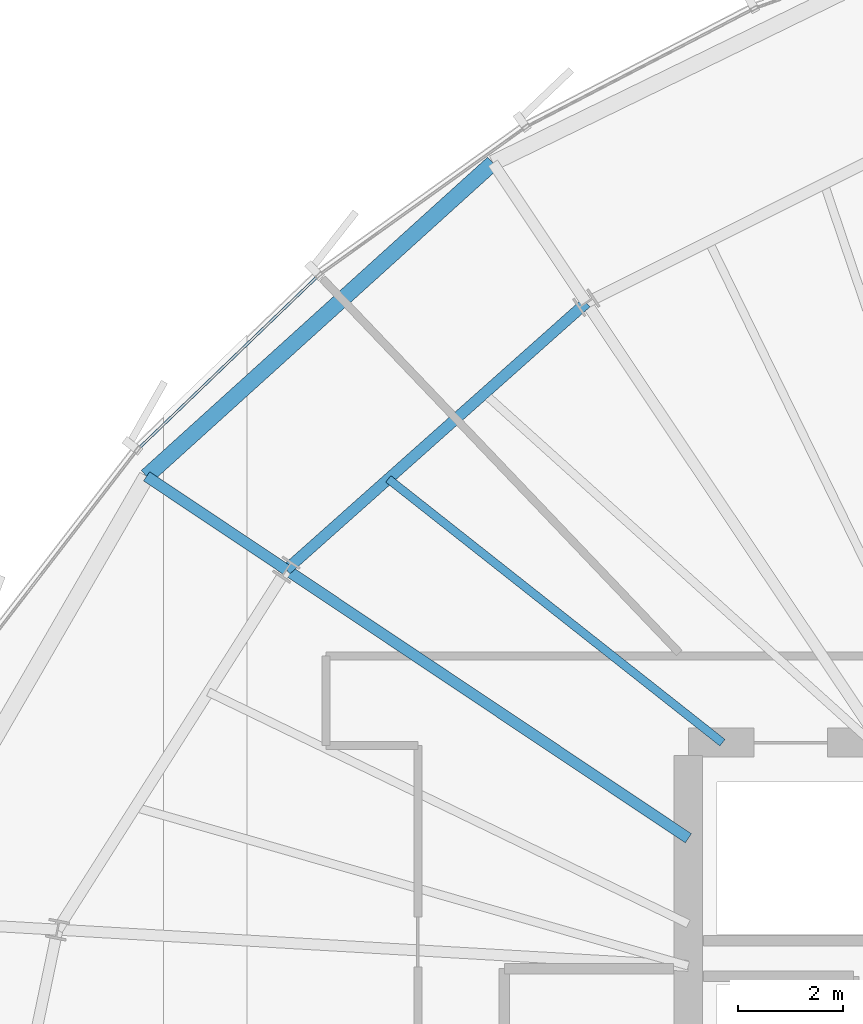
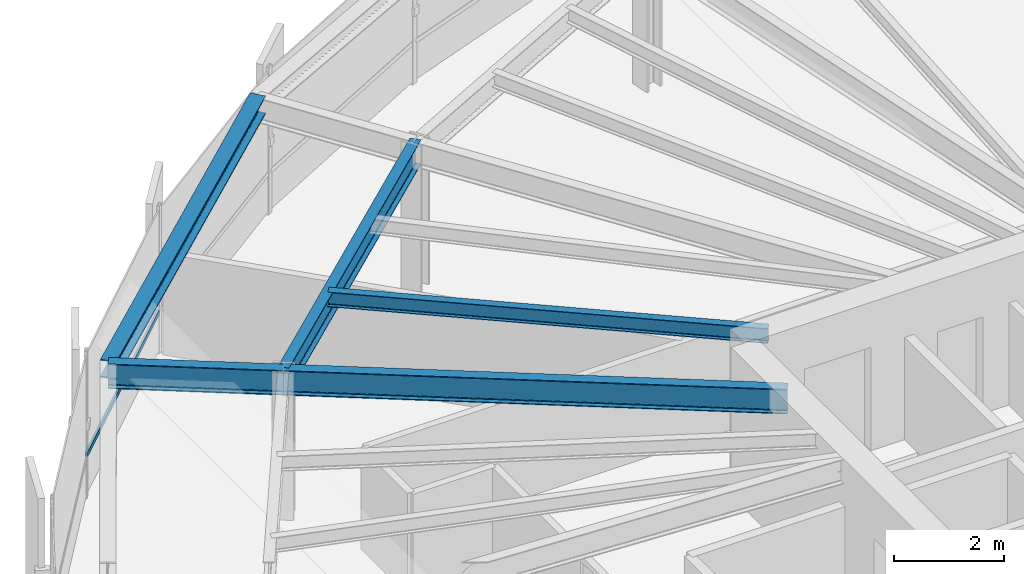
# One storey, part 18 of 32: 5 beams, 1 member, 1 element without a shape of its own.
"""IFC4 building model written with IfcOpenShell, lengths in metres."""

from ifc_helpers import new_model, si_unit, direction, frame, origin, origin_2d, place, context, subcontext, project, spatial, hollow_rectangle, i_section, extrude, source, transform, mapped, material, layer, layer_set, material_profile, profile_set, type_object, element, aggregate, save


model = new_model("IFC4")

# Units and contexts
model_context = context("Model", 3, precision=1e-05, world=origin(), true_north=direction((0.0, 1.0)))
body_context = subcontext(model_context, "Body", "Model", "MODEL_VIEW")
ifc_project = project(units=[si_unit("LENGTHUNIT", "METRE"), si_unit("AREAUNIT", "SQUARE_METRE"), si_unit("VOLUMEUNIT", "CUBIC_METRE"), si_unit("PLANEANGLEUNIT", "RADIAN"), si_unit("MASSUNIT", "GRAM", prefix="KILO"), si_unit("THERMODYNAMICTEMPERATUREUNIT", "KELVIN")], contexts=[model_context])

# Site, building, storey
site_placement = place(None, origin())
site = spatial("IfcSite", under=ifc_project, at=site_placement, CompositionType="ELEMENT")
building_placement = place(site_placement, origin())
building = spatial("IfcBuilding", under=site, at=building_placement, Name="Kethvar Cultural Tower", CompositionType="ELEMENT")
storey_placement = place(building_placement, frame((0.0, 0.0, 160.75)))
storey = spatial("IfcBuildingStorey", under=building, at=storey_placement, Name="L41", CompositionType="ELEMENT", Elevation=160.75)

# Beams
ifc_material_1 = material(Name="Steel S355J2", Category="steel")
ifc_material_profile_1 = material_profile(ifc_material_1, i_section(OverallWidth=0.2099609375, OverallDepth=0.550048828125, WebThickness=0.010986328125, FlangeThickness=0.01708984375, FilletRadius=0.02392578125, at=origin_2d()), Name="Steel S355J2 — IPE550")
ifc_profile_set_1 = profile_set([ifc_material_profile_1], Name="Steel S355J2 — IPE550")
beam_type_1 = type_object("IfcBeamType", Name="BM-IPE550", PredefinedType="BEAM", material=ifc_profile_set_1)
shared_shape_1 = source(origin(), body_context, "Body", "SweptSolid", [
    extrude(i_section(OverallWidth=0.2099609375, OverallDepth=0.550048828125, WebThickness=0.010986328125, FlangeThickness=0.01708984375, FilletRadius=0.02392578125, at=origin_2d()), origin(), (0.0, 0.0, 1.0), 3.199951171875),
])
beam_1_placement = place(storey_placement, frame((30.345947265625, 38.794189453125, 3.02294921875), z_axis=(-0.831462943996, 0.555580212716, 0.0), x_axis=(-0.555580212716, -0.831462943996, 0.0)))
element("IfcBeam", 1, at=beam_1_placement, inside=storey, type_object=beam_type_1, Name="L41 Perimeter Cantilever Beam RC-07", PredefinedType="BEAM", context=body_context, shape_type="MappedRepresentation", body=[
    mapped(shared_shape_1, transform((0.0, 0.0, 0.0), scale=1.0)),
])
shared_shape_2 = source(origin(), body_context, "Body", "SweptSolid", [
    extrude(i_section(OverallWidth=0.2099609375, OverallDepth=0.550048828125, WebThickness=0.010986328125, FlangeThickness=0.01708984375, FilletRadius=0.02392578125, at=origin_2d()), origin(), (0.0, 0.0, 1.0), 9.205322265625),
])
beam_2_placement = place(storey_placement, frame((38.0, 33.679931640625, 3.02294921875), z_axis=(-0.831470451236, 0.555568977465, 0.0), x_axis=(-0.555568977465, -0.831470451236, 0.0)))
element("IfcBeam", 2, at=beam_2_placement, inside=storey, type_object=beam_type_1, Name="L41 Primary Radial Beam RB-07", PredefinedType="BEAM", context=body_context, shape_type="MappedRepresentation", body=[
    mapped(shared_shape_2, transform((0.0, 0.0, 0.0), scale=1.0)),
])
shared_shape_3 = source(origin(), body_context, "Body", "SweptSolid", [
    extrude(i_section(OverallWidth=0.2099609375, OverallDepth=0.550048828125, WebThickness=0.010986328125, FlangeThickness=0.01708984375, FilletRadius=0.02392578125, at=origin_2d()), origin(), (0.0, 0.0, 1.0), 7.64599609375),
])
beam_3_placement = place(storey_placement, frame((36.0576171875, 43.877197265625, 3.02294921875), z_axis=(-0.747021617367, -0.66479974668, 0.0), x_axis=(0.66479974668, -0.747021617367, 0.0)))
element("IfcBeam", 3, at=beam_3_placement, inside=storey, type_object=beam_type_1, Name="L41 Column Ring Tie Beam CR-06", PredefinedType="BEAM", context=body_context, shape_type="MappedRepresentation", body=[
    mapped(shared_shape_3, transform((0.0, 0.0, 0.0), scale=1.0)),
])
ifc_material_profile_2 = material_profile(ifc_material_1, i_section(OverallWidth=0.159912109375, OverallDepth=0.330078125, WebThickness=0.007568359375, FlangeThickness=0.011474609375, FilletRadius=0.01806640625, at=origin_2d()), Name="Steel S355J2 — IPE330")
ifc_profile_set_2 = profile_set([ifc_material_profile_2], Name="Steel S355J2 — IPE330")
beam_type_2 = type_object("IfcBeamType", Name="BM-J330", PredefinedType="JOIST", material=ifc_profile_set_2)
shared_shape_4 = source(origin(), body_context, "Body", "SweptSolid", [
    extrude(i_section(OverallWidth=0.159912109375, OverallDepth=0.330078125, WebThickness=0.007568359375, FlangeThickness=0.011474609375, FilletRadius=0.01806640625, at=origin_2d()), origin(), (0.0, 0.0, 1.0), 8.105712890625),
])
beam_4_placement = place(storey_placement, frame((38.64990234375, 35.5, 3.133056640625), z_axis=(-0.784895872164, 0.619627686486, 0.0), x_axis=(-0.619627686486, -0.784895872164, 0.0)))
element("IfcBeam", 4, at=beam_4_placement, inside=storey, type_object=beam_type_2, Name="L41 Composite Floor Joist J-06B", PredefinedType="JOIST", context=body_context, shape_type="MappedRepresentation", body=[
    mapped(shared_shape_4, transform((0.0, 0.0, 0.0), scale=1.0)),
])
ifc_material_profile_3 = material_profile(ifc_material_1, i_section(OverallWidth=0.300048828125, OverallDepth=0.39990234375, WebThickness=0.013427734375, FlangeThickness=0.02392578125, FilletRadius=0.027099609375, at=origin_2d()), Name="Steel S355J2 — HEB400")
ifc_profile_set_3 = profile_set([ifc_material_profile_3], Name="Steel S355J2 — HEB400")
beam_type_3 = type_object("IfcBeamType", Name="BM-SP400", PredefinedType="SPANDREL", material=ifc_profile_set_3)
shared_shape_5 = source(origin(), body_context, "Body", "SweptSolid", [
    extrude(i_section(OverallWidth=0.300048828125, OverallDepth=0.39990234375, WebThickness=0.013427734375, FlangeThickness=0.02392578125, FilletRadius=0.027099609375, at=origin_2d()), origin(), (0.0, 0.0, 1.0), 8.892822265625),
])
beam_5_placement = place(storey_placement, frame((34.27978515625, 46.5380859375, 3.097900390625), z_axis=(-0.741556591679, -0.670890319901, 0.0), x_axis=(0.670890319901, -0.741556591679, 0.0)))
element("IfcBeam", 5, at=beam_5_placement, inside=storey, type_object=beam_type_3, Name="L41 Perimeter Spandrel Beam SP-06", PredefinedType="SPANDREL", context=body_context, shape_type="MappedRepresentation", body=[
    mapped(shared_shape_5, transform((0.0, 0.0, 0.0), scale=1.0)),
])

# Curtain wall, member
ifc_material_2 = material(Name="Aluminium 6063-T6", Category="aluminium")
ifc_layer = layer(ifc_material_2, 0.179931640625, Name="Aluminium 6063-T6", Category="aluminium")
ifc_layer_set = layer_set([ifc_layer], Name="Aluminium 6063-T6 (180 mm)")
curtain_wall_type = type_object("IfcCurtainWallType", Name="CW-SYS-04-Z34", PredefinedType="NOTDEFINED", material=ifc_layer_set)
curtain_wall_placement = place(storey_placement, origin())
curtain_wall = element("IfcCurtainWall", 6, at=curtain_wall_placement, inside=storey, type_object=curtain_wall_type, Name="L41 Curtain Wall Run 02", PredefinedType="NOTDEFINED")
ifc_material_profile_4 = material_profile(ifc_material_2, hollow_rectangle(XDim=0.050048828125, YDim=0.10009765625, WallThickness=0.00390625, at=origin_2d()), Name="Aluminium 6063-T6 — RHS100x50x4")
ifc_profile_set_4 = profile_set([ifc_material_profile_4], Name="Aluminium 6063-T6 — RHS100x50x4")
member_type = type_object("IfcMemberType", Name="CW-SYS-04-Z34-TRN", PredefinedType="USERDEFINED", material=ifc_profile_set_4)
shared_shape_6 = source(origin(), body_context, "Body", "SweptSolid", [
    extrude(hollow_rectangle(XDim=0.050048828125, YDim=0.10009765625, WallThickness=0.00390625, at=origin_2d()), origin(), (0.0, 0.0, 1.0), 4.726318359375),
])
member_placement = place(storey_placement, frame((30.935791015625, 44.37451171875, 0.949951171875), z_axis=(-0.720663302624, -0.693285225756, 0.0), x_axis=(0.693285225756, -0.720663302624, 0.0)))
member = element("IfcMember", 7, at=member_placement, type_object=member_type, Name="CW-L41-R02 Transom 5", ObjectType="TRANSOM", PredefinedType="USERDEFINED", context=body_context, shape_type="MappedRepresentation", body=[
    mapped(shared_shape_6, transform((0.0, 0.0, 0.0), scale=1.0)),
])
aggregate(curtain_wall, [member])

save(model, "model.ifc")
